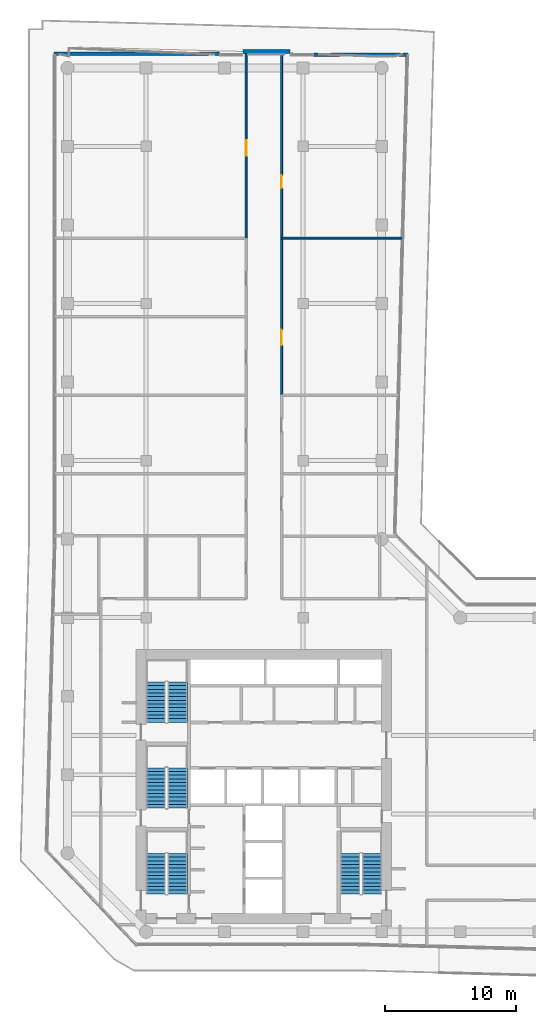
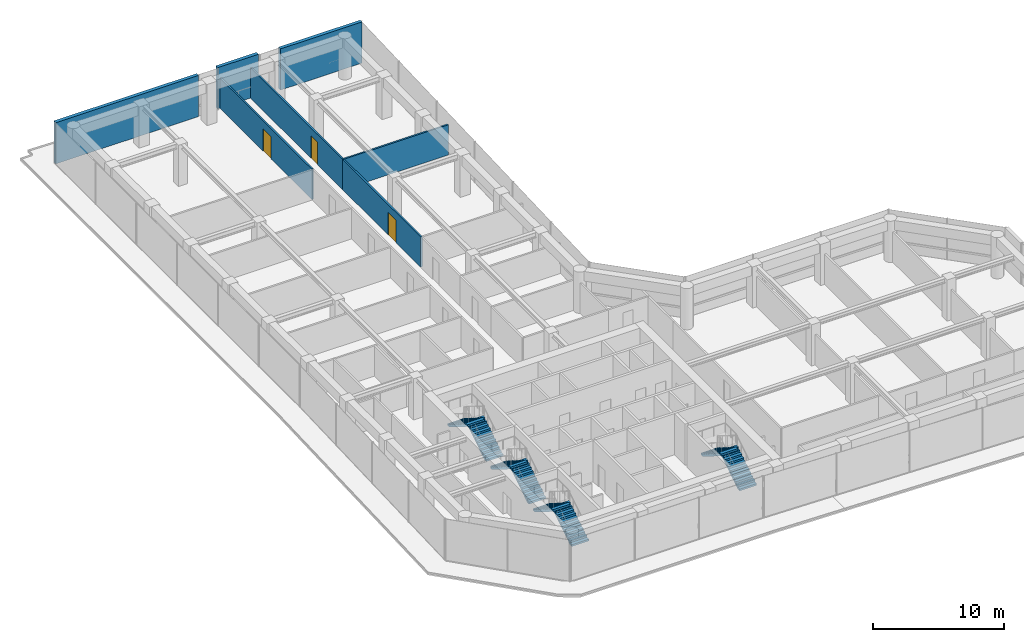
# One storey, part 21 of 23: 8 stair flights, 7 walls, 3 doors, 3 openings, 4 elements without a shape of their own.
"""IFC4 building model written with IfcOpenShell, lengths in metres."""

from ifc_helpers import new_model, si_unit, direction, frame, frame_2d, origin, place, context, subcontext, project, spatial, polyline, rectangle, outline, extrude, material, layer, layer_set, type_object, element, fill, aggregate, save


model = new_model("IFC4")

# Units and contexts
model_context = context("Model", 3, precision=1e-05, world=origin(), true_north=direction((0.0, 1.0)))
body_context = subcontext(model_context, "Body", "Model", "MODEL_VIEW")
ifc_project = project(units=[si_unit("LENGTHUNIT", "METRE"), si_unit("AREAUNIT", "SQUARE_METRE"), si_unit("VOLUMEUNIT", "CUBIC_METRE"), si_unit("PLANEANGLEUNIT", "RADIAN"), si_unit("MASSUNIT", "GRAM", prefix="KILO")], contexts=[model_context])

# Site, building, storey
site_placement = place(None, origin())
site = spatial("IfcSite", under=ifc_project, at=site_placement, CompositionType="ELEMENT")
building_placement = place(site_placement, origin())
building = spatial("IfcBuilding", under=site, at=building_placement, Name="Welwitschia Terrace Campus", CompositionType="ELEMENT")
storey_placement = place(building_placement, frame((0.0, 0.0, 117.199951171875)))
storey = spatial("IfcBuildingStorey", under=building, at=storey_placement, Name="L26", CompositionType="ELEMENT", Elevation=117.199951171875)

# Wall, opening, door
ifc_material_1 = material(Name="Gypsum board on steel studs", Category="steel")
ifc_layer_1 = layer(ifc_material_1, 0.14990234375)
ifc_layer_set_1 = layer_set([ifc_layer_1], Name="Gypsum board on steel studs")
wall_type_1 = type_object("IfcWallType", Name="Corridor partition 150 EI 30", PredefinedType="PARTITIONING", material=ifc_layer_set_1)
wall_1_placement = place(storey_placement, frame((13.64990234375, 57.0, 0.0), z_axis=(0.0, 0.0, 1.0), x_axis=(0.0, 1.0, 0.0)))
wall_1 = element("IfcWall", 1, at=wall_1_placement, inside=storey, type_object=wall_type_1, Name="Partition", PredefinedType="PARTITIONING", context=body_context, shape_type="SweptSolid", body=[
    extrude(rectangle(XDim=14.090087890625, YDim=0.14990234375, at=frame_2d((7.044921875, 0.0))), origin(), (0.0, 0.0, 1.0), 2.830078125),
])
opening_1_placement = place(wall_1_placement, frame((6.280029296875, 0.0, 0.0)))
opening_1 = element("IfcOpeningElement", 2, at=opening_1_placement, cuts=wall_1, Name="Opening DI12", PredefinedType="OPENING", context=body_context, shape_type="SweptSolid", body=[
    extrude(rectangle(XDim=1.199951171875, YDim=2.10009765625, at=frame_2d((0.60009765625, 1.050048828125))), frame((0.0, 0.0849609375, 0.0), z_axis=(0.0, -1.0, 0.0), x_axis=(1.0, 0.0, 0.0)), (0.0, 0.0, 1.0), 0.169921875),
])
ifc_material_2 = material(Name="Timber veneered door", Category="wood")
door_type_1 = type_object("IfcDoorType", Name="Interior door DI12", OperationType="NOTDEFINED", PredefinedType="DOOR", material=ifc_material_2)
door_1_placement = place(opening_1_placement, origin())
door_1 = element("IfcDoor", 3, at=door_1_placement, inside=storey, type_object=door_type_1, Name="Door L26 569", OperationType="SINGLE_SWING_RIGHT", OverallHeight=2.10009765625, OverallWidth=1.199951171875, PredefinedType="DOOR", context=body_context, shape_type="SweptSolid", body=[
    extrude(rectangle(XDim=1.199951171875, YDim=2.10009765625, at=frame_2d((0.60009765625, 1.050048828125))), frame((0.0, 0.02490234375, 0.0), z_axis=(0.0, -1.0, 0.0), x_axis=(1.0, 0.0, 0.0)), (0.0, 0.0, 1.0), 0.050048828125),
])
fill(opening_1, door_1)

wall_2_placement = place(storey_placement, frame((16.35009765625, 57.0, 0.0), z_axis=(0.0, 0.0, 1.0), x_axis=(0.0, -1.0, 0.0)))
wall_2 = element("IfcWall", 4, at=wall_2_placement, inside=storey, type_object=wall_type_1, Name="Partition", PredefinedType="PARTITIONING", context=body_context, shape_type="SweptSolid", body=[
    extrude(rectangle(XDim=12.0, YDim=0.14990234375, at=frame_2d((6.0, 0.0))), origin(), (0.0, 0.0, 1.0), 2.830078125),
])
opening_2_placement = place(wall_2_placement, frame((7.0, 0.0, 0.0)))
opening_2 = element("IfcOpeningElement", 5, at=opening_2_placement, cuts=wall_2, Name="Opening DI12", PredefinedType="OPENING", context=body_context, shape_type="SweptSolid", body=[
    extrude(rectangle(XDim=1.199951171875, YDim=2.10009765625, at=frame_2d((0.60009765625, 1.050048828125))), frame((0.0, 0.0849609375, 0.0), z_axis=(0.0, -1.0, 0.0), x_axis=(1.0, 0.0, 0.0)), (0.0, 0.0, 1.0), 0.169921875),
])
door_2_placement = place(opening_2_placement, origin())
door_2 = element("IfcDoor", 6, at=door_2_placement, inside=storey, type_object=door_type_1, Name="Door L26 572", OperationType="SINGLE_SWING_LEFT", OverallHeight=2.10009765625, OverallWidth=1.199951171875, PredefinedType="DOOR", context=body_context, shape_type="SweptSolid", body=[
    extrude(rectangle(XDim=1.199951171875, YDim=2.10009765625, at=frame_2d((0.60009765625, 1.050048828125))), frame((0.0, 0.02490234375, 0.0), z_axis=(0.0, -1.0, 0.0), x_axis=(1.0, 0.0, 0.0)), (0.0, 0.0, 1.0), 0.050048828125),
])
fill(opening_2, door_2)

# Wall
wall_3_placement = place(storey_placement, frame((16.35009765625, 57.0, 0.0), z_axis=(0.0, 0.0, 1.0), x_axis=(1.0, 0.0, 0.0)))
element("IfcWall", 7, at=wall_3_placement, inside=storey, type_object=wall_type_1, Name="Partition", PredefinedType="PARTITIONING", context=body_context, shape_type="SweptSolid", body=[
    extrude(rectangle(XDim=9.25, YDim=0.14990234375, at=frame_2d((4.625, 0.0))), origin(), (0.0, 0.0, 1.0), 2.830078125),
])

# Wall, opening, door
wall_4_placement = place(storey_placement, frame((16.35009765625, 71.090087890625, 0.0), z_axis=(0.0, 0.0, 1.0), x_axis=(0.0, -1.0, 0.0)))
wall_4 = element("IfcWall", 8, at=wall_4_placement, inside=storey, type_object=wall_type_1, Name="Partition", PredefinedType="PARTITIONING", context=body_context, shape_type="SweptSolid", body=[
    extrude(rectangle(XDim=14.090087890625, YDim=0.14990234375, at=frame_2d((7.044921875, 0.0))), origin(), (0.0, 0.0, 1.0), 2.830078125),
])
opening_3_placement = place(wall_4_placement, frame((9.2900390625, 0.0, 0.0)))
opening_3 = element("IfcOpeningElement", 9, at=opening_3_placement, cuts=wall_4, Name="Opening DI10", PredefinedType="OPENING", context=body_context, shape_type="SweptSolid", body=[
    extrude(rectangle(XDim=1.0, YDim=2.10009765625, at=frame_2d((0.5, 1.050048828125))), frame((0.0, 0.0849609375, 0.0), z_axis=(0.0, -1.0, 0.0), x_axis=(1.0, 0.0, 0.0)), (0.0, 0.0, 1.0), 0.169921875),
])
ifc_material_3 = material(Name="Timber veneered door", Category="wood")
door_type_2 = type_object("IfcDoorType", Name="Interior door DI10", OperationType="NOTDEFINED", PredefinedType="DOOR", material=ifc_material_3)
door_3_placement = place(opening_3_placement, origin())
door_3 = element("IfcDoor", 10, at=door_3_placement, inside=storey, type_object=door_type_2, Name="Door L26 573", OperationType="SINGLE_SWING_RIGHT", OverallHeight=2.10009765625, OverallWidth=1.0, PredefinedType="DOOR", context=body_context, shape_type="SweptSolid", body=[
    extrude(rectangle(XDim=1.0, YDim=2.10009765625, at=frame_2d((0.5, 1.050048828125))), frame((0.0, 0.02490234375, 0.0), z_axis=(0.0, -1.0, 0.0), x_axis=(1.0, 0.0, 0.0)), (0.0, 0.0, 1.0), 0.050048828125),
])
fill(opening_3, door_3)

# Walls
ifc_material_4 = material(Name="Concrete C40/50", Category="concrete")
ifc_layer_2 = layer(ifc_material_4, 0.300048828125)
ifc_layer_set_2 = layer_set([ifc_layer_2], Name="Concrete C40/50")
wall_type_2 = type_object("IfcWallType", Name="Mass wall 300", PredefinedType="SOLIDWALL", material=ifc_layer_set_2)
wall_5_placement = place(storey_placement, frame((26.02197265625, 71.004638671875, 0.0), z_axis=(0.0, 0.0, 1.0), x_axis=(-1.0, 0.0, 0.0)))
element("IfcWall", 11, at=wall_5_placement, inside=storey, type_object=wall_type_2, Name="Mass wall L26.11.0", PredefinedType="SOLIDWALL", context=body_context, shape_type="SweptSolid", body=[
    extrude(rectangle(XDim=7.215576171875, YDim=0.300048828125, at=frame_2d((3.60791015625, 0.0))), origin(), (0.0, 0.0, 1.0), 3.85009765625),
])
wall_6_placement = place(storey_placement, frame((17.00634765625, 71.239990234375, 0.0), z_axis=(0.0, 0.0, 1.0), x_axis=(-1.0, 0.0, 0.0)))
element("IfcWall", 12, at=wall_6_placement, inside=storey, type_object=wall_type_2, Name="Mass wall L26.11.1", PredefinedType="SOLIDWALL", context=body_context, shape_type="SweptSolid", body=[
    extrude(rectangle(XDim=3.6103515625, YDim=0.300048828125, at=frame_2d((1.80517578125, 0.0))), origin(), (0.0, 0.0, 1.0), 3.85009765625),
])
wall_7_placement = place(storey_placement, frame((11.595947265625, 71.078125, 0.0), z_axis=(0.0, 0.0, 1.0), x_axis=(-1.0, 0.0, 0.0)))
element("IfcWall", 13, at=wall_7_placement, inside=storey, type_object=wall_type_2, Name="Mass wall L26.11.2", PredefinedType="SOLIDWALL", context=body_context, shape_type="SweptSolid", body=[
    extrude(rectangle(XDim=12.6259765625, YDim=0.300048828125, at=frame_2d((6.31298828125, 0.0))), origin(), (0.0, 0.0, 1.0), 3.85009765625),
])

# Stair, stair flights
ifc_material_5 = material(Name="Concrete C40/50", Category="concrete")
stair_type = type_object("IfcStairType", Name="Stair 24R 175 W1500", PredefinedType="HALF_TURN_STAIR", material=ifc_material_5)
stair_1_placement = place(storey_placement, origin())
stair_1 = element("IfcStair", 14, at=stair_1_placement, inside=storey, type_object=stair_type, Name="L26 Exit stair S1", PredefinedType="HALF_TURN_STAIR")
ifc_material_6 = material(Name="Concrete C40/50", Category="concrete")
stair_flight_type = type_object("IfcStairFlightType", Name="Stair flight 24R 175 W1500", PredefinedType="STRAIGHT", material=ifc_material_6)
stair_flight_1_placement = place(storey_placement, frame((8.39990234375, 6.89990234375, 0.0), z_axis=(0.0, 0.0, 1.0), x_axis=(0.0, 1.0, 0.0)))
stair_flight_1 = element("IfcStairFlight", 15, at=stair_flight_1_placement, type_object=stair_flight_type, Name="S1 flight 1", NumberOfRisers=12, NumberOfTreads=11, PredefinedType="STRAIGHT", RiserHeight=0.175, TreadLength=0.28, context=body_context, shape_type="SweptSolid", body=[
    extrude(outline(polyline([(0.0, 0.0), (0.0, 0.175048828125), (0.280029296875, 0.175048828125), (0.280029296875, 0.35009765625), (0.56005859375, 0.35009765625), (0.56005859375, 0.52490234375), (0.840087890625, 0.52490234375), (0.840087890625, 0.699951171875), (1.1201171875, 0.699951171875), (1.1201171875, 0.875), (1.39990234375, 0.875), (1.39990234375, 1.050048828125), (1.679931640625, 1.050048828125), (1.679931640625, 1.22509765625), (1.9599609375, 1.22509765625), (1.9599609375, 1.39990234375), (2.239990234375, 1.39990234375), (2.239990234375, 1.574951171875), (2.52001953125, 1.574951171875), (2.52001953125, 1.75), (2.800048828125, 1.75), (2.800048828125, 1.925048828125), (3.080078125, 1.925048828125), (3.080078125, 2.10009765625), (3.080078125, 1.748291015625), (0.28271484375, 0.0), (0.0, 0.0)])), frame((0.0, 0.75, 0.0), z_axis=(0.0, -1.0, 0.0), x_axis=(1.0, 0.0, 0.0)), (0.0, 0.0, 1.0), 1.5),
])
stair_flight_2_placement = place(storey_placement, frame((6.75, 9.97998046875, 2.10009765625), z_axis=(0.0, 0.0, 1.0), x_axis=(0.0, -1.0, 0.0)))
stair_flight_2 = element("IfcStairFlight", 16, at=stair_flight_2_placement, type_object=stair_flight_type, Name="S1 flight 2", NumberOfRisers=12, NumberOfTreads=11, PredefinedType="STRAIGHT", RiserHeight=0.175, TreadLength=0.28, context=body_context, shape_type="SweptSolid", body=[
    extrude(outline(polyline([(0.0, 0.0), (0.0, 0.175048828125), (0.280029296875, 0.175048828125), (0.280029296875, 0.35009765625), (0.56005859375, 0.35009765625), (0.56005859375, 0.52490234375), (0.840087890625, 0.52490234375), (0.840087890625, 0.699951171875), (1.1201171875, 0.699951171875), (1.1201171875, 0.875), (1.39990234375, 0.875), (1.39990234375, 1.050048828125), (1.679931640625, 1.050048828125), (1.679931640625, 1.22509765625), (1.9599609375, 1.22509765625), (1.9599609375, 1.39990234375), (2.239990234375, 1.39990234375), (2.239990234375, 1.574951171875), (2.52001953125, 1.574951171875), (2.52001953125, 1.75), (2.800048828125, 1.75), (2.800048828125, 1.925048828125), (3.080078125, 1.925048828125), (3.080078125, 2.10009765625), (3.080078125, 1.748291015625), (0.28271484375, 0.0), (0.0, 0.0)])), frame((0.0, 0.75, 0.0), z_axis=(0.0, -1.0, 0.0), x_axis=(1.0, 0.0, 0.0)), (0.0, 0.0, 1.0), 1.5),
])
aggregate(stair_1, [stair_flight_1, stair_flight_2])

stair_2_placement = place(storey_placement, origin())
stair_2 = element("IfcStair", 17, at=stair_2_placement, inside=storey, type_object=stair_type, Name="L26 Exit stair S3", PredefinedType="HALF_TURN_STAIR")
stair_flight_3_placement = place(storey_placement, frame((8.39990234375, 13.449951171875, 0.0), z_axis=(0.0, 0.0, 1.0), x_axis=(0.0, 1.0, 0.0)))
stair_flight_3 = element("IfcStairFlight", 18, at=stair_flight_3_placement, type_object=stair_flight_type, Name="S3 flight 1", NumberOfRisers=12, NumberOfTreads=11, PredefinedType="STRAIGHT", RiserHeight=0.175, TreadLength=0.28, context=body_context, shape_type="SweptSolid", body=[
    extrude(outline(polyline([(0.0, 0.0), (0.0, 0.175048828125), (0.280029296875, 0.175048828125), (0.280029296875, 0.35009765625), (0.56005859375, 0.35009765625), (0.56005859375, 0.52490234375), (0.840087890625, 0.52490234375), (0.840087890625, 0.699951171875), (1.1201171875, 0.699951171875), (1.1201171875, 0.875), (1.39990234375, 0.875), (1.39990234375, 1.050048828125), (1.679931640625, 1.050048828125), (1.679931640625, 1.22509765625), (1.9599609375, 1.22509765625), (1.9599609375, 1.39990234375), (2.239990234375, 1.39990234375), (2.239990234375, 1.574951171875), (2.52001953125, 1.574951171875), (2.52001953125, 1.75), (2.800048828125, 1.75), (2.800048828125, 1.925048828125), (3.080078125, 1.925048828125), (3.080078125, 2.10009765625), (3.080078125, 1.748291015625), (0.28271484375, 0.0), (0.0, 0.0)])), frame((0.0, 0.75, 0.0), z_axis=(0.0, -1.0, 0.0), x_axis=(1.0, 0.0, 0.0)), (0.0, 0.0, 1.0), 1.5),
])
stair_flight_4_placement = place(storey_placement, frame((6.75, 16.530029296875, 2.10009765625), z_axis=(0.0, 0.0, 1.0), x_axis=(0.0, -1.0, 0.0)))
stair_flight_4 = element("IfcStairFlight", 19, at=stair_flight_4_placement, type_object=stair_flight_type, Name="S3 flight 2", NumberOfRisers=12, NumberOfTreads=11, PredefinedType="STRAIGHT", RiserHeight=0.175, TreadLength=0.28, context=body_context, shape_type="SweptSolid", body=[
    extrude(outline(polyline([(0.0, 0.0), (0.0, 0.175048828125), (0.280029296875, 0.175048828125), (0.280029296875, 0.35009765625), (0.56005859375, 0.35009765625), (0.56005859375, 0.52490234375), (0.840087890625, 0.52490234375), (0.840087890625, 0.699951171875), (1.1201171875, 0.699951171875), (1.1201171875, 0.875), (1.39990234375, 0.875), (1.39990234375, 1.050048828125), (1.679931640625, 1.050048828125), (1.679931640625, 1.22509765625), (1.9599609375, 1.22509765625), (1.9599609375, 1.39990234375), (2.239990234375, 1.39990234375), (2.239990234375, 1.574951171875), (2.52001953125, 1.574951171875), (2.52001953125, 1.75), (2.800048828125, 1.75), (2.800048828125, 1.925048828125), (3.080078125, 1.925048828125), (3.080078125, 2.10009765625), (3.080078125, 1.748291015625), (0.28271484375, 0.0), (0.0, 0.0)])), frame((0.0, 0.75, 0.0), z_axis=(0.0, -1.0, 0.0), x_axis=(1.0, 0.0, 0.0)), (0.0, 0.0, 1.0), 1.5),
])
aggregate(stair_2, [stair_flight_3, stair_flight_4])

stair_3_placement = place(storey_placement, origin())
stair_3 = element("IfcStair", 20, at=stair_3_placement, inside=storey, type_object=stair_type, Name="L26 Exit stair S4", PredefinedType="HALF_TURN_STAIR")
stair_flight_5_placement = place(storey_placement, frame((8.39990234375, 20.0, 0.0), z_axis=(0.0, 0.0, 1.0), x_axis=(0.0, 1.0, 0.0)))
stair_flight_5 = element("IfcStairFlight", 21, at=stair_flight_5_placement, type_object=stair_flight_type, Name="S4 flight 1", NumberOfRisers=12, NumberOfTreads=11, PredefinedType="STRAIGHT", RiserHeight=0.175, TreadLength=0.28, context=body_context, shape_type="SweptSolid", body=[
    extrude(outline(polyline([(0.0, 0.0), (0.0, 0.175048828125), (0.280029296875, 0.175048828125), (0.280029296875, 0.35009765625), (0.56005859375, 0.35009765625), (0.56005859375, 0.52490234375), (0.840087890625, 0.52490234375), (0.840087890625, 0.699951171875), (1.1201171875, 0.699951171875), (1.1201171875, 0.875), (1.39990234375, 0.875), (1.39990234375, 1.050048828125), (1.679931640625, 1.050048828125), (1.679931640625, 1.22509765625), (1.9599609375, 1.22509765625), (1.9599609375, 1.39990234375), (2.239990234375, 1.39990234375), (2.239990234375, 1.574951171875), (2.52001953125, 1.574951171875), (2.52001953125, 1.75), (2.800048828125, 1.75), (2.800048828125, 1.925048828125), (3.080078125, 1.925048828125), (3.080078125, 2.10009765625), (3.080078125, 1.748291015625), (0.28271484375, 0.0), (0.0, 0.0)])), frame((0.0, 0.75, 0.0), z_axis=(0.0, -1.0, 0.0), x_axis=(1.0, 0.0, 0.0)), (0.0, 0.0, 1.0), 1.5),
])
stair_flight_6_placement = place(storey_placement, frame((6.75, 23.080078125, 2.10009765625), z_axis=(0.0, 0.0, 1.0), x_axis=(0.0, -1.0, 0.0)))
stair_flight_6 = element("IfcStairFlight", 22, at=stair_flight_6_placement, type_object=stair_flight_type, Name="S4 flight 2", NumberOfRisers=12, NumberOfTreads=11, PredefinedType="STRAIGHT", RiserHeight=0.175, TreadLength=0.28, context=body_context, shape_type="SweptSolid", body=[
    extrude(outline(polyline([(0.0, 0.0), (0.0, 0.175048828125), (0.280029296875, 0.175048828125), (0.280029296875, 0.35009765625), (0.56005859375, 0.35009765625), (0.56005859375, 0.52490234375), (0.840087890625, 0.52490234375), (0.840087890625, 0.699951171875), (1.1201171875, 0.699951171875), (1.1201171875, 0.875), (1.39990234375, 0.875), (1.39990234375, 1.050048828125), (1.679931640625, 1.050048828125), (1.679931640625, 1.22509765625), (1.9599609375, 1.22509765625), (1.9599609375, 1.39990234375), (2.239990234375, 1.39990234375), (2.239990234375, 1.574951171875), (2.52001953125, 1.574951171875), (2.52001953125, 1.75), (2.800048828125, 1.75), (2.800048828125, 1.925048828125), (3.080078125, 1.925048828125), (3.080078125, 2.10009765625), (3.080078125, 1.748291015625), (0.28271484375, 0.0), (0.0, 0.0)])), frame((0.0, 0.75, 0.0), z_axis=(0.0, -1.0, 0.0), x_axis=(1.0, 0.0, 0.0)), (0.0, 0.0, 1.0), 1.5),
])
aggregate(stair_3, [stair_flight_5, stair_flight_6])

stair_4_placement = place(storey_placement, origin())
stair_4 = element("IfcStair", 23, at=stair_4_placement, inside=storey, type_object=stair_type, Name="L26 Exit stair S2", PredefinedType="HALF_TURN_STAIR")
stair_flight_7_placement = place(storey_placement, frame((23.25, 6.89990234375, 0.0), z_axis=(0.0, 0.0, 1.0), x_axis=(0.0, 1.0, 0.0)))
stair_flight_7 = element("IfcStairFlight", 24, at=stair_flight_7_placement, type_object=stair_flight_type, Name="S2 flight 1", NumberOfRisers=12, NumberOfTreads=11, PredefinedType="STRAIGHT", RiserHeight=0.175, TreadLength=0.28, context=body_context, shape_type="SweptSolid", body=[
    extrude(outline(polyline([(0.0, 0.0), (0.0, 0.175048828125), (0.280029296875, 0.175048828125), (0.280029296875, 0.35009765625), (0.56005859375, 0.35009765625), (0.56005859375, 0.52490234375), (0.840087890625, 0.52490234375), (0.840087890625, 0.699951171875), (1.1201171875, 0.699951171875), (1.1201171875, 0.875), (1.39990234375, 0.875), (1.39990234375, 1.050048828125), (1.679931640625, 1.050048828125), (1.679931640625, 1.22509765625), (1.9599609375, 1.22509765625), (1.9599609375, 1.39990234375), (2.239990234375, 1.39990234375), (2.239990234375, 1.574951171875), (2.52001953125, 1.574951171875), (2.52001953125, 1.75), (2.800048828125, 1.75), (2.800048828125, 1.925048828125), (3.080078125, 1.925048828125), (3.080078125, 2.10009765625), (3.080078125, 1.748291015625), (0.28271484375, 0.0), (0.0, 0.0)])), frame((0.0, 0.75, 0.0), z_axis=(0.0, -1.0, 0.0), x_axis=(1.0, 0.0, 0.0)), (0.0, 0.0, 1.0), 1.5),
])
stair_flight_8_placement = place(storey_placement, frame((21.60009765625, 9.97998046875, 2.10009765625), z_axis=(0.0, 0.0, 1.0), x_axis=(0.0, -1.0, 0.0)))
stair_flight_8 = element("IfcStairFlight", 25, at=stair_flight_8_placement, type_object=stair_flight_type, Name="S2 flight 2", NumberOfRisers=12, NumberOfTreads=11, PredefinedType="STRAIGHT", RiserHeight=0.175, TreadLength=0.28, context=body_context, shape_type="SweptSolid", body=[
    extrude(outline(polyline([(0.0, 0.0), (0.0, 0.175048828125), (0.280029296875, 0.175048828125), (0.280029296875, 0.35009765625), (0.56005859375, 0.35009765625), (0.56005859375, 0.52490234375), (0.840087890625, 0.52490234375), (0.840087890625, 0.699951171875), (1.1201171875, 0.699951171875), (1.1201171875, 0.875), (1.39990234375, 0.875), (1.39990234375, 1.050048828125), (1.679931640625, 1.050048828125), (1.679931640625, 1.22509765625), (1.9599609375, 1.22509765625), (1.9599609375, 1.39990234375), (2.239990234375, 1.39990234375), (2.239990234375, 1.574951171875), (2.52001953125, 1.574951171875), (2.52001953125, 1.75), (2.800048828125, 1.75), (2.800048828125, 1.925048828125), (3.080078125, 1.925048828125), (3.080078125, 2.10009765625), (3.080078125, 1.748291015625), (0.28271484375, 0.0), (0.0, 0.0)])), frame((0.0, 0.75, 0.0), z_axis=(0.0, -1.0, 0.0), x_axis=(1.0, 0.0, 0.0)), (0.0, 0.0, 1.0), 1.5),
])
aggregate(stair_4, [stair_flight_7, stair_flight_8])

save(model, "model.ifc")
